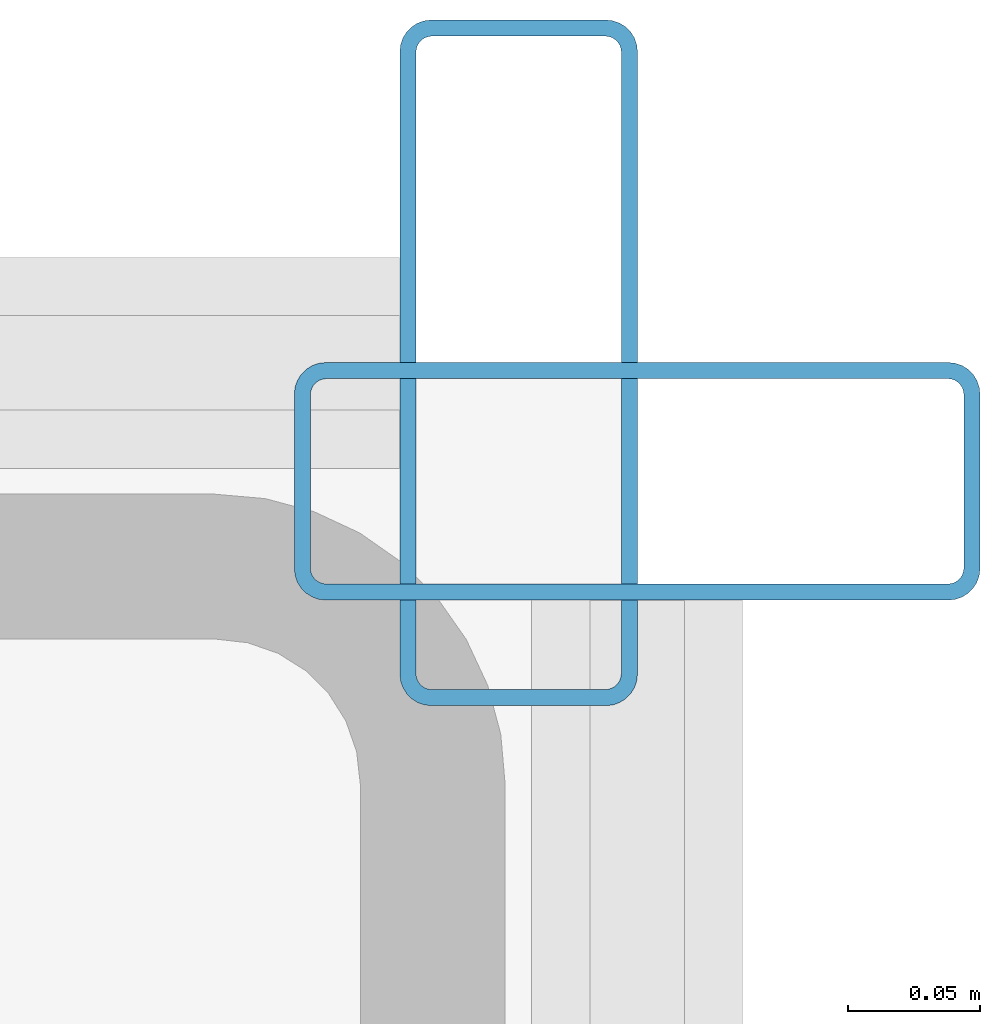
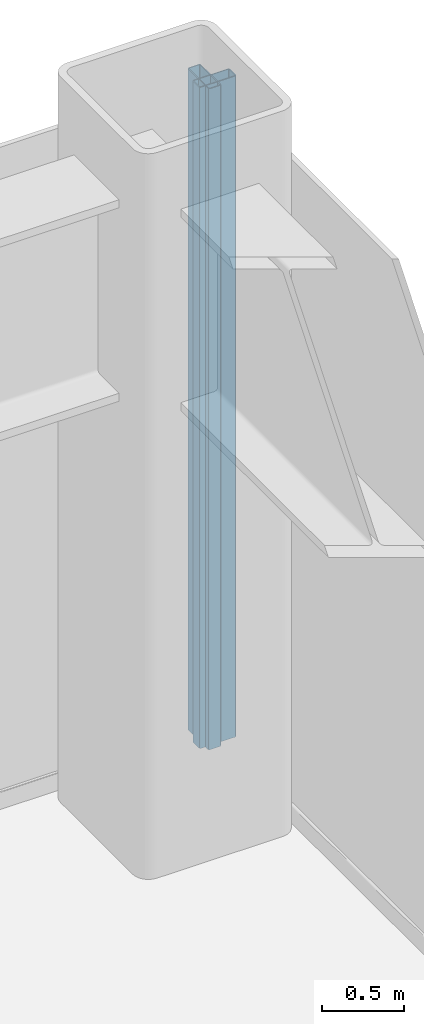
# One storey, part 15 of 24: 2 members, 2 elements without a shape of their own.
"""IFC4 building model written with IfcOpenShell, lengths in metres."""

import ifcopenshell
import ifcopenshell.guid

model = None  # the IFC model being written
_history = None  # IfcOwnerHistory: only IFC2X3 demands one
_inside = {}  # id of a spatial element -> (the spatial element, [elements in it])
_under = {}  # id of a project, library or spatial element -> (it, [spatial elements below it])
_declared = {}  # id of a project -> (the project, [libraries it declares])
_typed = {}  # id of a type object -> (the type object, [elements of that type])
_made_of = {}  # id of a material, layer set ... -> (it, [elements and type objects made of it])


def new_model(schema):
    """Start an empty IFC model of exactly this schema.

    Asked for "IFC4X3", IfcOpenShell would pick the latest addendum, in which some entities
    have other attributes; the version numbers below select the first issue.
    IFC2X3 requires an IfcOwnerHistory on every rooted entity: one is made here for all.
    """
    global model, _history
    if schema == "IFC4X3":
        model = ifcopenshell.file(schema_version=(4, 3, 0, 0))
    else:
        model = ifcopenshell.file(schema=schema)
    _inside.clear()
    _under.clear()
    _declared.clear()
    _typed.clear()
    _made_of.clear()
    _history = None
    if model.schema == "IFC2X3":
        org = make("IfcOrganization", Name="unknown")
        user = make(
            "IfcPersonAndOrganization",
            ThePerson=make("IfcPerson", FamilyName="unknown"),
            TheOrganization=org,
        )
        app = make(
            "IfcApplication",
            ApplicationDeveloper=org,
            Version="unknown",
            ApplicationFullName="unknown",
            ApplicationIdentifier="unknown",
        )
        _history = make(
            "IfcOwnerHistory",
            OwningUser=user,
            OwningApplication=app,
            ChangeAction="ADDED",
            CreationDate=0,
        )
    return model


def make(cls, **values):
    """One entity of the class cls with the attributes given. An attribute that is None is left unset."""
    return model.create_entity(
        cls, **{name: value for name, value in values.items() if value is not None}
    )


def rooted(cls, **values):
    """An entity with a GlobalId (a new one), such as an element, a storey or a relation."""
    return make(cls, GlobalId=ifcopenshell.guid.new(), OwnerHistory=_history, **values)


def si_unit(unit_type, name, prefix=None):
    """IfcSIUnit, for example si_unit("LENGTHUNIT", "METRE", prefix="MILLI")."""
    return make("IfcSIUnit", UnitType=unit_type, Prefix=prefix, Name=name)


def assignment(units):
    """IfcUnitAssignment: the units of a project."""
    return None if units is None else make("IfcUnitAssignment", Units=units)


def point(xyz):
    """IfcCartesianPoint."""
    return None if xyz is None else make("IfcCartesianPoint", Coordinates=xyz)


def direction(xyz):
    """IfcDirection."""
    return None if xyz is None else make("IfcDirection", DirectionRatios=xyz)


def frame(location, z_axis=None, x_axis=None):
    """IfcAxis2Placement3D, a coordinate frame: its origin and axes. An axis left out is left unset."""
    return make(
        "IfcAxis2Placement3D",
        Location=point(location),
        Axis=direction(z_axis),
        RefDirection=direction(x_axis),
    )


def frame_2d(location, x_axis=None):
    """IfcAxis2Placement2D, a coordinate frame in the plane: its origin and x axis."""
    return make(
        "IfcAxis2Placement2D", Location=point(location), RefDirection=direction(x_axis)
    )


def origin():
    """The frame at (0, 0, 0) with its axes left unset."""
    return frame((0.0, 0.0, 0.0))


def origin_2d():
    """The frame at (0, 0) in the plane with its x axis left unset."""
    return frame_2d((0.0, 0.0))


def place(relative_to, where):
    """IfcLocalPlacement: puts the frame where relative to a parent placement (None: the world)."""
    return make(
        "IfcLocalPlacement", PlacementRelTo=relative_to, RelativePlacement=where
    )


def context(
    kind, dimensions, precision=None, world=None, true_north=None, identifier=None
):
    """IfcGeometricRepresentationContext, for example the 3D "Model" context."""
    return make(
        "IfcGeometricRepresentationContext",
        ContextIdentifier=identifier,
        ContextType=kind,
        CoordinateSpaceDimension=dimensions,
        Precision=precision,
        WorldCoordinateSystem=world,
        TrueNorth=true_north,
    )


def subcontext(parent, identifier, kind, view, scale=None):
    """IfcGeometricRepresentationSubContext, for example "Body" below "Model"."""
    return make(
        "IfcGeometricRepresentationSubContext",
        ContextIdentifier=identifier,
        ContextType=kind,
        ParentContext=parent,
        TargetScale=scale,
        TargetView=view,
    )


def project(units=None, contexts=None):
    """IfcProject with its units and contexts."""
    return rooted(
        "IfcProject",
        Name="project",
        RepresentationContexts=contexts,
        UnitsInContext=assignment(units),
    )


def spatial(cls, under=None, at=None, **own):
    """A site, building, storey or space (cls), placed at a placement, below another one or the project."""
    s = rooted(cls, ObjectPlacement=at, **own)
    if under is not None:
        _under.setdefault(under.id(), (under, []))[1].append(s)
    return s


def profile(cls, at=None, kind="AREA", **sizes):
    """A parametric profile (cls). Its sizes go by their IFC names, for example OverallWidth=200.0."""
    return make(cls, ProfileType=kind, Position=at, **sizes)


def hollow_rectangle(**sizes):
    """IfcRectangleHollowProfileDef."""
    return profile("IfcRectangleHollowProfileDef", **sizes)


def extrude(swept, where, along, depth):
    """IfcExtrudedAreaSolid: the profile swept, set in the frame where, extruded along a direction by depth."""
    return make(
        "IfcExtrudedAreaSolid",
        SweptArea=swept,
        Position=where,
        ExtrudedDirection=direction(along),
        Depth=depth,
    )


def shape(context_of_items, identifier, shape_type, items):
    """IfcShapeRepresentation: the items that make up one representation, for example the "Body"."""
    return make(
        "IfcShapeRepresentation",
        ContextOfItems=context_of_items,
        RepresentationIdentifier=identifier,
        RepresentationType=shape_type,
        Items=items,
    )


def source(mapping_origin, context_of_items, identifier, shape_type, items):
    """IfcRepresentationMap: a shape defined once, which mapped items show again and again."""
    return make(
        "IfcRepresentationMap",
        MappingOrigin=mapping_origin,
        MappedRepresentation=shape(context_of_items, identifier, shape_type, items),
    )


def transform(
    local_origin,
    x_axis=None,
    y_axis=None,
    z_axis=None,
    scale=None,
    scale2=None,
    scale3=None,
    uniform=True,
):
    """IfcCartesianTransformationOperator3D, or its non-uniform kind. x_axis, y_axis, z_axis: its Axis1, 2, 3."""
    if uniform:
        return make(
            "IfcCartesianTransformationOperator3D",
            Axis1=direction(x_axis),
            Axis2=direction(y_axis),
            LocalOrigin=point(local_origin),
            Scale=scale,
            Axis3=direction(z_axis),
        )
    return make(
        "IfcCartesianTransformationOperator3DnonUniform",
        Axis1=direction(x_axis),
        Axis2=direction(y_axis),
        LocalOrigin=point(local_origin),
        Scale=scale,
        Axis3=direction(z_axis),
        Scale2=scale2,
        Scale3=scale3,
    )


def mapped(mapping_source, mapping_target):
    """IfcMappedItem: shows the shape of a source again, moved by a transform."""
    return make(
        "IfcMappedItem", MappingSource=mapping_source, MappingTarget=mapping_target
    )


def material(Name=None, Category=None):
    """IfcMaterial."""
    return make("IfcMaterial", Name=Name, Category=Category)


def layer(
    of_material, thickness, ventilated=None, Name=None, Category=None, Priority=None
):
    """IfcMaterialLayer: one layer of a wall or slab, of a material (None: an air gap)."""
    return make(
        "IfcMaterialLayer",
        Material=of_material,
        LayerThickness=thickness,
        IsVentilated=ventilated,
        Name=Name,
        Category=Category,
        Priority=Priority,
    )


def layer_set(layers, Name=None):
    """IfcMaterialLayerSet."""
    return make("IfcMaterialLayerSet", MaterialLayers=layers, LayerSetName=Name)


def material_profile(
    of_material, cross_section, Name=None, Category=None, Priority=None
):
    """IfcMaterialProfile: a cross section and its material."""
    return make(
        "IfcMaterialProfile",
        Name=Name,
        Material=of_material,
        Profile=cross_section,
        Priority=Priority,
        Category=Category,
    )


def profile_set(profiles, Name=None, composite=None):
    """IfcMaterialProfileSet."""
    return make(
        "IfcMaterialProfileSet",
        Name=Name,
        MaterialProfiles=profiles,
        CompositeProfile=composite,
    )


def made_of(thing, what):
    """Note that an element or type object is made of a material, layer set ...; save() writes the relation."""
    if what is not None:
        _made_of.setdefault(what.id(), (what, []))[1].append(thing)
    return thing


def type_object(cls, material=None, **own):
    """A type object (cls), such as IfcWallType, which elements share."""
    return made_of(rooted(cls, **own), material)


def element(
    cls,
    number,
    at=None,
    inside=None,
    cuts=None,
    type_object=None,
    material=None,
    context=None,
    identifier="Body",
    shape_type=None,
    held_by="IfcProductDefinitionShape",
    body=None,
    shapes=None,
    **own,
):
    """One element of the class cls, such as IfcWall. Its Tag is "e" and its number.

    at: its placement. inside: the storey or other place that contains it. cuts: it is an
    opening in that element (IfcRelVoidsElement). A single representation is given by context,
    identifier, shape_type and body (its items); several are given by shapes. held_by: the class
    of the entity that holds the representations. save() writes the other relations.
    """
    e = rooted(cls, Tag="e%d" % number, ObjectPlacement=at, **own)
    if body is not None:
        shapes = [shape(context, identifier, shape_type, body)]
    if shapes is not None:
        e.Representation = make(held_by, Representations=shapes)
    if inside is not None:
        _inside.setdefault(inside.id(), (inside, []))[1].append(e)
    if cuts is not None:
        rooted(
            "IfcRelVoidsElement", RelatingBuildingElement=cuts, RelatedOpeningElement=e
        )
    if type_object is not None:
        _typed.setdefault(type_object.id(), (type_object, []))[1].append(e)
    return made_of(e, material)


def aggregate(whole, parts):
    """IfcRelAggregates: a whole, such as a stair, and the parts it consists of."""
    return rooted("IfcRelAggregates", RelatingObject=whole, RelatedObjects=parts)


def save(model, path):
    """Write the relations noted so far, then the file.

    IfcRelAggregates (storeys below a building ...), IfcRelContainedInSpatialStructure (elements
    in a storey), IfcRelDefinesByType, IfcRelAssociatesMaterial and IfcRelDeclares: one each for
    every whole, place, type object, material and project.
    """
    for whole, parts in _under.values():
        aggregate(whole, parts)
    for where, things in _inside.values():
        rooted(
            "IfcRelContainedInSpatialStructure",
            RelatedElements=things,
            RelatingStructure=where,
        )
    for kind, things in _typed.values():
        rooted("IfcRelDefinesByType", RelatedObjects=things, RelatingType=kind)
    for what, things in _made_of.values():
        rooted("IfcRelAssociatesMaterial", RelatedObjects=things, RelatingMaterial=what)
    for by, libraries in _declared.values():
        rooted("IfcRelDeclares", RelatingContext=by, RelatedDefinitions=libraries)
    model.write(path)


model = new_model("IFC4")

# Units and contexts
model_context = context("Model", 3, precision=1e-05, world=origin(), true_north=direction((0.0, 1.0)))
body_context = subcontext(model_context, "Body", "Model", "MODEL_VIEW")
ifc_project = project(units=[si_unit("LENGTHUNIT", "METRE"), si_unit("AREAUNIT", "SQUARE_METRE"), si_unit("VOLUMEUNIT", "CUBIC_METRE"), si_unit("PLANEANGLEUNIT", "RADIAN"), si_unit("MASSUNIT", "GRAM", prefix="KILO")], contexts=[model_context])

# Site, building, storey
site_placement = place(None, origin())
site = spatial("IfcSite", under=ifc_project, at=site_placement, CompositionType="ELEMENT")
building_placement = place(site_placement, origin())
building = spatial("IfcBuilding", under=site, at=building_placement, Name="Nefas-Gora Pilgrimage Tower", CompositionType="ELEMENT")
storey_placement = place(building_placement, frame((0.0, 0.0, 22.199951171875)))
storey = spatial("IfcBuildingStorey", under=building, at=storey_placement, Name="L04", CompositionType="ELEMENT", Elevation=22.199951171875)

# Curtain wall, member
ifc_material_1 = material(Name="Dark ceramic-fritted solar-control aluminium-glass curtain wall", Category="aluminium")
ifc_layer = layer(ifc_material_1, 0.219970703125)
ifc_layer_set = layer_set([ifc_layer], Name="Dark ceramic-fritted solar-control aluminium-glass curtain wall")
curtain_wall_type = type_object("IfcCurtainWallType", Name="CW-SYS-1", PredefinedType="NOTDEFINED", material=ifc_layer_set)
curtain_wall_1_placement = place(storey_placement, origin())
curtain_wall_1 = element("IfcCurtainWall", 1, at=curtain_wall_1_placement, inside=storey, type_object=curtain_wall_type, Name="L04 Unitised Curtain Wall CW1", PredefinedType="NOTDEFINED")
ifc_material_2 = material(Name="Anodised architectural aluminium", Category="aluminium")
ifc_material_profile = material_profile(ifc_material_2, hollow_rectangle(XDim=0.090087890625, YDim=0.260009765625, WallThickness=0.006103515625, InnerFilletRadius=0.006103515625, OuterFilletRadius=0.011962890625, at=origin_2d()), Name="ALU MULLION 90x260")
ifc_profile_set = profile_set([ifc_material_profile], Name="Anodised architectural aluminium")
member_type = type_object("IfcMemberType", Name="CWM-MUL-1", PredefinedType="MULLION", material=ifc_profile_set)
shared_shape = source(origin(), body_context, "Body", "SweptSolid", [
    extrude(hollow_rectangle(XDim=0.090087890625, YDim=0.260009765625, WallThickness=0.006103515625, InnerFilletRadius=0.006103515625, OuterFilletRadius=0.011962890625, at=origin_2d()), origin(), (0.0, 0.0, 1.0), 4.920166015625),
])
member_1_placement = place(storey_placement, frame((38.25, 25.155029296875, 0.0), z_axis=(0.0, 0.0, 1.0), x_axis=(0.0, 1.0, 0.0)))
member_1 = element("IfcMember", 2, at=member_1_placement, type_object=member_type, Name="CW1 Mullion 3", PredefinedType="MULLION", context=body_context, shape_type="MappedRepresentation", body=[
    mapped(shared_shape, transform((0.0, 0.0, 0.0), x_axis=(1.0, 0.0, 0.0), y_axis=(0.0, 1.0, 0.0), z_axis=(0.0, 0.0, 1.0), scale=1.0)),
])
aggregate(curtain_wall_1, [member_1])

curtain_wall_2_placement = place(storey_placement, origin())
curtain_wall_2 = element("IfcCurtainWall", 3, at=curtain_wall_2_placement, inside=storey, type_object=curtain_wall_type, Name="L04 Unitised Curtain Wall CW1", PredefinedType="NOTDEFINED")
member_2_placement = place(storey_placement, frame((38.205078125, 25.199951171875, 0.0), z_axis=(0.0, 0.0, 1.0), x_axis=(-1.0, 0.0, 0.0)))
member_2 = element("IfcMember", 4, at=member_2_placement, type_object=member_type, Name="CW1 Mullion 1", PredefinedType="MULLION", context=body_context, shape_type="MappedRepresentation", body=[
    mapped(shared_shape, transform((0.0, 0.0, 0.0), x_axis=(1.0, 0.0, 0.0), y_axis=(0.0, 1.0, 0.0), z_axis=(0.0, 0.0, 1.0), scale=1.0)),
])
aggregate(curtain_wall_2, [member_2])

save(model, "model.ifc")
